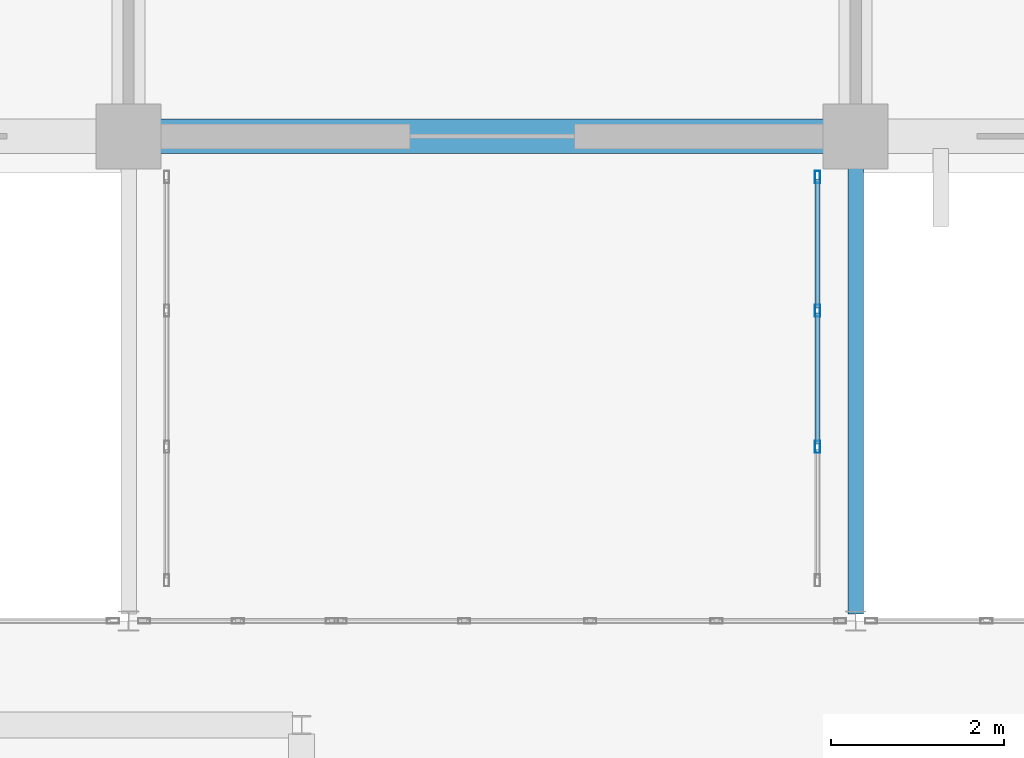
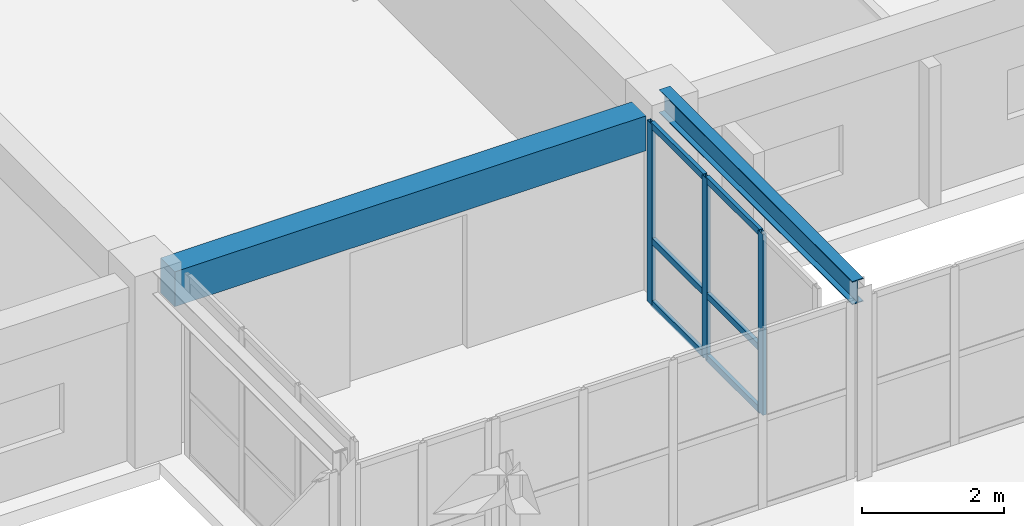
# One storey, part 100 of 200: 9 members, 2 beams, 1 element without a shape of its own.
"""IFC4 building model written with IfcOpenShell, lengths in metres."""

from ifc_helpers import new_model, si_unit, direction, frame, origin, origin_2d, place, context, subcontext, project, spatial, rectangle, hollow_rectangle, i_section, extrude, material, layer, layer_set, material_profile, profile_set, type_object, element, aggregate, save


model = new_model("IFC4")

# Units and contexts
model_context = context("Model", 3, precision=1e-05, world=origin(), true_north=direction((0.0, 1.0)))
body_context = subcontext(model_context, "Body", "Model", "MODEL_VIEW")
ifc_project = project(units=[si_unit("LENGTHUNIT", "METRE"), si_unit("AREAUNIT", "SQUARE_METRE"), si_unit("VOLUMEUNIT", "CUBIC_METRE"), si_unit("PLANEANGLEUNIT", "RADIAN"), si_unit("MASSUNIT", "GRAM", prefix="KILO")], contexts=[model_context])

# Site, building, storey
site_placement = place(None, origin())
site = spatial("IfcSite", under=ifc_project, at=site_placement, CompositionType="ELEMENT")
building_placement = place(site_placement, origin())
building = spatial("IfcBuilding", under=site, at=building_placement, Name="Trelvath General Hospital", CompositionType="ELEMENT")
storey_placement = place(building_placement, frame((0.0, 0.0, 4.800048828125)))
storey = spatial("IfcBuildingStorey", under=building, at=storey_placement, Name="L01", CompositionType="ELEMENT", Elevation=4.800048828125)

# Beams
ifc_material_1 = material(Name="Concrete C35/45", Category="concrete")
ifc_material_profile_1 = material_profile(ifc_material_1, rectangle(XDim=0.39990234375, YDim=0.60009765625, at=origin_2d()), Name="RCB400x600")
ifc_profile_set_1 = profile_set([ifc_material_profile_1], Name="Concrete C35/45")
beam_type_1 = type_object("IfcBeamType", Name="Beam RC400x600", PredefinedType="BEAM", material=ifc_profile_set_1)
beam_1_placement = place(storey_placement, frame((59.169921875, 92.39990234375, 2.719970703125), z_axis=(1.0, 0.0, 0.0), x_axis=(0.0, 1.0, 0.0)))
element("IfcBeam", 1, at=beam_1_placement, inside=storey, type_object=beam_type_1, Name="Grid Beam BX-107L", PredefinedType="BEAM", context=body_context, shape_type="SweptSolid", body=[
    extrude(rectangle(XDim=0.39990234375, YDim=0.60009765625, at=origin_2d()), origin(), (0.0, 0.0, 1.0), 7.66015625),
])
ifc_material_2 = material(Name="Steel S355", Category="steel")
ifc_material_profile_2 = material_profile(ifc_material_2, i_section(OverallWidth=0.179931640625, OverallDepth=0.39990234375, WebThickness=0.008544921875, FlangeThickness=0.013427734375, at=origin_2d()), Name="IPE400")
ifc_profile_set_2 = profile_set([ifc_material_profile_2], Name="Steel S355")
beam_type_2 = type_object("IfcBeamType", Name="BridgeGirder IPE400", PredefinedType="BEAM", material=ifc_profile_set_2)
beam_2_placement = place(storey_placement, frame((67.199951171875, 86.8798828125, 3.099853515625), z_axis=(0.0, 1.0, 0.0), x_axis=(-1.0, 0.0, 0.0)))
element("IfcBeam", 2, at=beam_2_placement, inside=storey, type_object=beam_type_2, Name="Bridge Roof Girder BRG-N-W E", PredefinedType="BEAM", context=body_context, shape_type="SweptSolid", body=[
    extrude(i_section(OverallWidth=0.179931640625, OverallDepth=0.39990234375, WebThickness=0.008544921875, FlangeThickness=0.013427734375, at=origin_2d()), origin(), (0.0, 0.0, 1.0), 5.440185546875),
])

# Curtain wall, members
ifc_material_3 = material(Name="Anodised aluminium and low-E glass", Category="aluminium")
ifc_layer = layer(ifc_material_3, 0.139892578125)
ifc_layer_set = layer_set([ifc_layer], Name="Anodised aluminium and low-E glass")
curtain_wall_type = type_object("IfcCurtainWallType", Name="CW Bridge 472 311", PredefinedType="USERDEFINED", material=ifc_layer_set)
curtain_wall_placement = place(storey_placement, origin())
curtain_wall = element("IfcCurtainWall", 3, at=curtain_wall_placement, inside=storey, type_object=curtain_wall_type, Name="Glazed Bridge Curtain Wall BRG-N-W E L01", ObjectType="Unitised Glazed Curtain Wall", PredefinedType="USERDEFINED")
ifc_material_4 = material(Name="Anodised aluminium", Category="aluminium")
ifc_material_profile_3 = material_profile(ifc_material_4, hollow_rectangle(XDim=0.06005859375, YDim=0.139892578125, WallThickness=0.00390625, at=origin_2d()), Name="RHS60x140x4")
ifc_profile_set_3 = profile_set([ifc_material_profile_3], Name="Anodised aluminium")
member_type_1 = type_object("IfcMemberType", Name="CurtainMullion 60x140", PredefinedType="MULLION", material=ifc_profile_set_3)
member_1_placement = place(storey_placement, frame((66.760009765625, 91.929931640625, 0.0), z_axis=(0.0, 0.0, 1.0), x_axis=(1.0, 0.0, 0.0)))
member_1 = element("IfcMember", 4, at=member_1_placement, type_object=member_type_1, Name="CW-183 mullion 1", PredefinedType="MULLION", context=body_context, shape_type="SweptSolid", body=[
    extrude(hollow_rectangle(XDim=0.06005859375, YDim=0.139892578125, WallThickness=0.00390625, at=origin_2d()), origin(), (0.0, 0.0, 1.0), 3.10986328125),
])
member_2_placement = place(storey_placement, frame((66.760009765625, 90.38671875, 0.0), z_axis=(0.0, 0.0, 1.0), x_axis=(1.0, 0.0, 0.0)))
member_2 = element("IfcMember", 5, at=member_2_placement, type_object=member_type_1, Name="CW-183 mullion 2", PredefinedType="MULLION", context=body_context, shape_type="SweptSolid", body=[
    extrude(hollow_rectangle(XDim=0.06005859375, YDim=0.139892578125, WallThickness=0.00390625, at=origin_2d()), origin(), (0.0, 0.0, 1.0), 3.10986328125),
])
member_3_placement = place(storey_placement, frame((66.760009765625, 88.813232421875, 0.0), z_axis=(0.0, 0.0, 1.0), x_axis=(1.0, 0.0, 0.0)))
member_3 = element("IfcMember", 6, at=member_3_placement, type_object=member_type_1, Name="CW-183 mullion 3", PredefinedType="MULLION", context=body_context, shape_type="SweptSolid", body=[
    extrude(hollow_rectangle(XDim=0.06005859375, YDim=0.139892578125, WallThickness=0.00390625, at=origin_2d()), origin(), (0.0, 0.0, 1.0), 3.10986328125),
])
ifc_material_5 = material(Name="Anodised aluminium", Category="aluminium")
ifc_material_profile_4 = material_profile(ifc_material_5, hollow_rectangle(XDim=0.06005859375, YDim=0.110107421875, WallThickness=0.00390625, at=origin_2d()), Name="RHS60x110x4")
ifc_profile_set_4 = profile_set([ifc_material_profile_4], Name="Anodised aluminium")
member_type_2 = type_object("IfcMemberType", Name="CurtainTransom 60x110", PredefinedType="USERDEFINED", material=ifc_profile_set_4)
member_4_placement = place(storey_placement, frame((66.760009765625, 91.89990234375, 0.030029296875), z_axis=(0.0, -1.0, 0.0), x_axis=(1.0, 0.0, 0.0)))
member_4 = element("IfcMember", 7, at=member_4_placement, type_object=member_type_2, Name="CW-183 transom 1.1", ObjectType="TRANSOM", PredefinedType="USERDEFINED", context=body_context, shape_type="SweptSolid", body=[
    extrude(hollow_rectangle(XDim=0.06005859375, YDim=0.110107421875, WallThickness=0.00390625, at=origin_2d()), origin(), (0.0, 0.0, 1.0), 1.483154296875),
])
member_5_placement = place(storey_placement, frame((66.760009765625, 91.89990234375, 1.099853515625), z_axis=(0.0, -1.0, 0.0), x_axis=(1.0, 0.0, 0.0)))
member_5 = element("IfcMember", 8, at=member_5_placement, type_object=member_type_2, Name="CW-183 transom 1.2", ObjectType="TRANSOM", PredefinedType="USERDEFINED", context=body_context, shape_type="SweptSolid", body=[
    extrude(hollow_rectangle(XDim=0.06005859375, YDim=0.110107421875, WallThickness=0.00390625, at=origin_2d()), origin(), (0.0, 0.0, 1.0), 1.483154296875),
])
member_6_placement = place(storey_placement, frame((66.760009765625, 91.89990234375, 3.079833984375), z_axis=(0.0, -1.0, 0.0), x_axis=(1.0, 0.0, 0.0)))
member_6 = element("IfcMember", 9, at=member_6_placement, type_object=member_type_2, Name="CW-183 transom 1.3", ObjectType="TRANSOM", PredefinedType="USERDEFINED", context=body_context, shape_type="SweptSolid", body=[
    extrude(hollow_rectangle(XDim=0.06005859375, YDim=0.110107421875, WallThickness=0.00390625, at=origin_2d()), origin(), (0.0, 0.0, 1.0), 1.483154296875),
])
member_7_placement = place(storey_placement, frame((66.760009765625, 90.356689453125, 0.030029296875), z_axis=(0.0, -1.0, 0.0), x_axis=(1.0, 0.0, 0.0)))
member_7 = element("IfcMember", 10, at=member_7_placement, type_object=member_type_2, Name="CW-183 transom 2.1", ObjectType="TRANSOM", PredefinedType="USERDEFINED", context=body_context, shape_type="SweptSolid", body=[
    extrude(hollow_rectangle(XDim=0.06005859375, YDim=0.110107421875, WallThickness=0.00390625, at=origin_2d()), origin(), (0.0, 0.0, 1.0), 1.513427734375),
])
member_8_placement = place(storey_placement, frame((66.760009765625, 90.356689453125, 1.099853515625), z_axis=(0.0, -1.0, 0.0), x_axis=(1.0, 0.0, 0.0)))
member_8 = element("IfcMember", 11, at=member_8_placement, type_object=member_type_2, Name="CW-183 transom 2.2", ObjectType="TRANSOM", PredefinedType="USERDEFINED", context=body_context, shape_type="SweptSolid", body=[
    extrude(hollow_rectangle(XDim=0.06005859375, YDim=0.110107421875, WallThickness=0.00390625, at=origin_2d()), origin(), (0.0, 0.0, 1.0), 1.513427734375),
])
member_9_placement = place(storey_placement, frame((66.760009765625, 90.356689453125, 3.079833984375), z_axis=(0.0, -1.0, 0.0), x_axis=(1.0, 0.0, 0.0)))
member_9 = element("IfcMember", 12, at=member_9_placement, type_object=member_type_2, Name="CW-183 transom 2.3", ObjectType="TRANSOM", PredefinedType="USERDEFINED", context=body_context, shape_type="SweptSolid", body=[
    extrude(hollow_rectangle(XDim=0.06005859375, YDim=0.110107421875, WallThickness=0.00390625, at=origin_2d()), origin(), (0.0, 0.0, 1.0), 1.513427734375),
])
aggregate(curtain_wall, [member_1, member_2, member_3, member_4, member_5, member_6, member_7, member_8, member_9])

save(model, "model.ifc")
